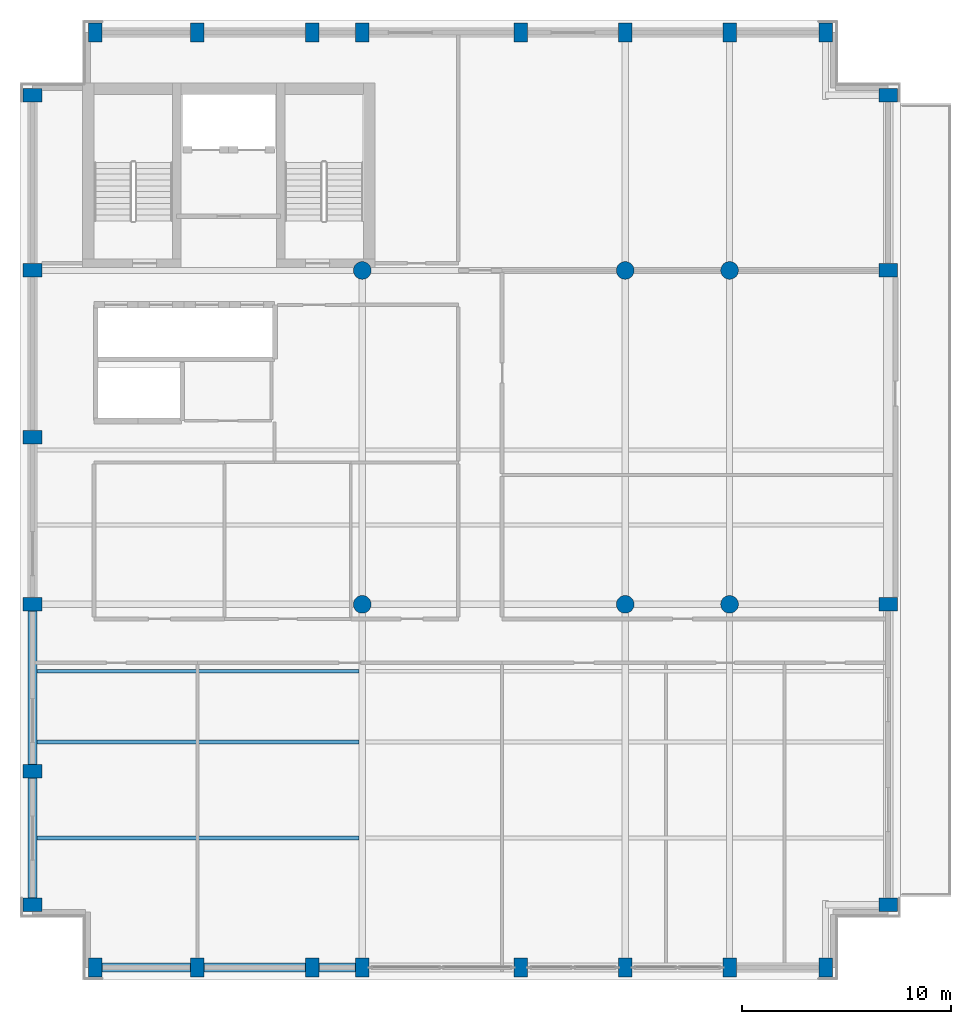
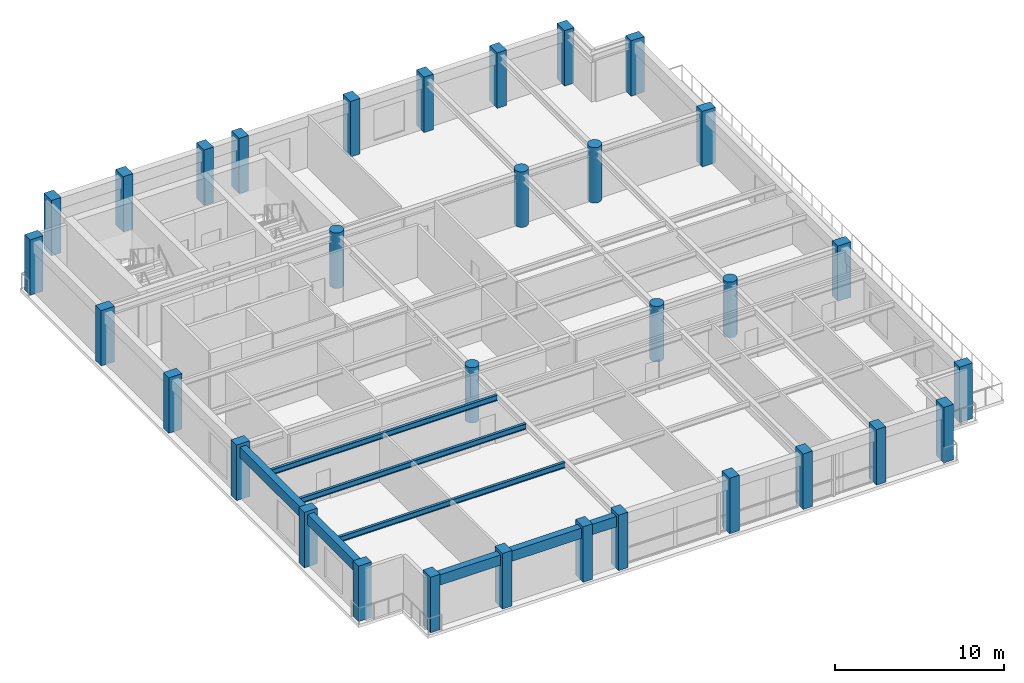
# One storey, part 1 of 9: 32 columns, 8 beams.
"""IFC4 building model written with IfcOpenShell, lengths in metres."""

from ifc_helpers import new_model, si_unit, direction, frame, origin, origin_2d, place, context, subcontext, project, spatial, rectangle, circle, i_section, extrude, material, material_profile, profile_set, type_object, element, save


model = new_model("IFC4")

# Units and contexts
model_context = context("Model", 3, precision=1e-05, world=origin(), true_north=direction((0.0, 1.0)))
body_context = subcontext(model_context, "Body", "Model", "MODEL_VIEW")
ifc_project = project(units=[si_unit("LENGTHUNIT", "METRE"), si_unit("AREAUNIT", "SQUARE_METRE"), si_unit("VOLUMEUNIT", "CUBIC_METRE"), si_unit("PLANEANGLEUNIT", "RADIAN"), si_unit("MASSUNIT", "GRAM", prefix="KILO")], contexts=[model_context])

# Site, building, storey
site_placement = place(None, origin())
site = spatial("IfcSite", under=ifc_project, at=site_placement, CompositionType="ELEMENT")
building_placement = place(site_placement, origin())
building = spatial("IfcBuilding", under=site, at=building_placement, Name="Sulina Concourse Tower", CompositionType="ELEMENT")
storey_placement = place(building_placement, frame((0.0, 0.0, 297.0)))
storey = spatial("IfcBuildingStorey", under=building, at=storey_placement, Name="L72", CompositionType="ELEMENT", Elevation=297.0)

# Columns
ifc_material_1 = material(Name="Precast concrete C50/60", Category="concrete")
ifc_material_profile_1 = material_profile(ifc_material_1, rectangle(XDim=0.64990234375, YDim=0.89990234375, at=origin_2d()), Name="PC 650x900")
ifc_profile_set_1 = profile_set([ifc_material_profile_1], Name="Precast concrete C50/60")
column_type_1 = type_object("IfcColumnType", Name="Precast Stepped Crown Pier 650x900", PredefinedType="COLUMN", material=ifc_profile_set_1)
for number, where, z_axis, x_axis, name in (
    (1, (3.60009765625, 0.60009765625, 0.0), (0.0, 0.0, 1.0), (1.0, 0.0, 0.0), "L72 structural column TP-S-36"),
    (2, (3.60009765625, 45.39990234375, 0.0), (0.0, 0.0, 1.0), (1.0, 0.0, 0.0), "L72 structural column TP-N-36"),
    (3, (8.5, 0.60009765625, 0.0), (0.0, 0.0, 1.0), (1.0, 0.0, 0.0), "L72 structural column TP-S-85"),
    (4, (8.5, 45.39990234375, 0.0), (0.0, 0.0, 1.0), (1.0, 0.0, 0.0), "L72 structural column TP-N-85"),
    (5, (14.0, 0.60009765625, 0.0), (0.0, 0.0, 1.0), (1.0, 0.0, 0.0), "L72 structural column TP-S-140"),
    (6, (14.0, 45.39990234375, 0.0), (0.0, 0.0, 1.0), (1.0, 0.0, 0.0), "L72 structural column TP-N-140"),
    (7, (16.39990234375, 0.60009765625, 0.0), (0.0, 0.0, 1.0), (1.0, 0.0, 0.0), "L72 structural column TP-S-164"),
    (8, (16.39990234375, 45.39990234375, 0.0), (0.0, 0.0, 1.0), (1.0, 0.0, 0.0), "L72 structural column TP-N-164"),
    (9, (24.0, 0.60009765625, 0.0), (0.0, 0.0, 1.0), (1.0, 0.0, 0.0), "L72 structural column TP-S-240"),
    (10, (24.0, 45.39990234375, 0.0), (0.0, 0.0, 1.0), (1.0, 0.0, 0.0), "L72 structural column TP-N-240"),
    (11, (29.0, 0.60009765625, 0.0), (0.0, 0.0, 1.0), (1.0, 0.0, 0.0), "L72 structural column TP-S-290"),
    (12, (29.0, 45.39990234375, 0.0), (0.0, 0.0, 1.0), (1.0, 0.0, 0.0), "L72 structural column TP-N-290"),
    (13, (34.0, 0.60009765625, 0.0), (0.0, 0.0, 1.0), (1.0, 0.0, 0.0), "L72 structural column TP-S-340"),
    (14, (34.0, 45.39990234375, 0.0), (0.0, 0.0, 1.0), (1.0, 0.0, 0.0), "L72 structural column TP-N-340"),
    (15, (38.60009765625, 0.60009765625, 0.0), (0.0, 0.0, 1.0), (1.0, 0.0, 0.0), "L72 structural column TP-SC-386"),
    (16, (38.60009765625, 45.39990234375, 0.0), (0.0, 0.0, 1.0), (1.0, 0.0, 0.0), "L72 structural column TP-NC-386"),
    (17, (0.60009765625, 3.60009765625, 0.0), (0.0, 0.0, 1.0), (0.0, 1.0, 0.0), "L72 structural column TP-W-36"),
    (18, (41.60009765625, 3.60009765625, 0.0), (0.0, 0.0, 1.0), (0.0, 1.0, 0.0), "L72 structural column TP-E-36"),
    (19, (0.60009765625, 10.0, 0.0), (0.0, 0.0, 1.0), (0.0, 1.0, 0.0), "L72 structural column TP-W-100"),
    (20, (0.60009765625, 18.0, 0.0), (0.0, 0.0, 1.0), (0.0, 1.0, 0.0), "L72 structural column TP-W-180"),
    (21, (41.60009765625, 18.0, 0.0), (0.0, 0.0, 1.0), (0.0, 1.0, 0.0), "L72 structural column TP-E-180"),
    (22, (0.60009765625, 26.0, 0.0), (0.0, 0.0, 1.0), (0.0, 1.0, 0.0), "L72 structural column TP-W-260"),
    (23, (0.60009765625, 34.0, 0.0), (0.0, 0.0, 1.0), (0.0, 1.0, 0.0), "L72 structural column TP-W-340"),
    (24, (41.60009765625, 34.0, 0.0), (0.0, 0.0, 1.0), (0.0, 1.0, 0.0), "L72 structural column TP-E-340"),
    (25, (0.60009765625, 42.39990234375, 0.0), (0.0, 0.0, 1.0), (0.0, 1.0, 0.0), "L72 structural column TP-W-424"),
    (26, (41.60009765625, 42.39990234375, 0.0), (0.0, 0.0, 1.0), (0.0, 1.0, 0.0), "L72 structural column TP-E-424"),
):
    element("IfcColumn", number, at=place(storey_placement, frame(where, z_axis=z_axis, x_axis=x_axis)), inside=storey, type_object=column_type_1, Name=name, PredefinedType="COLUMN", context=body_context, shape_type="SweptSolid", body=[
        extrude(rectangle(XDim=0.64990234375, YDim=0.89990234375, at=origin_2d()), origin(), (0.0, 0.0, 1.0), 4.0),
    ])
ifc_material_2 = material(Name="Concrete C50/60", Category="concrete")
ifc_material_profile_2 = material_profile(ifc_material_2, circle(Radius=0.425048828125, at=origin_2d()), Name="RC D850")
ifc_profile_set_2 = profile_set([ifc_material_profile_2], Name="Concrete C50/60")
column_type_2 = type_object("IfcColumnType", Name="Upper Interior Circular Column D850", PredefinedType="COLUMN", material=ifc_profile_set_2)
for number, where, z_axis, x_axis, name in (
    (27, (16.39990234375, 18.0, 0.0), (0.0, 0.0, 1.0), (1.0, 0.0, 0.0), "L72 structural column IC-M-164"),
    (28, (16.39990234375, 34.0, 0.0), (0.0, 0.0, 1.0), (1.0, 0.0, 0.0), "L72 structural column IC-N-164"),
    (29, (29.0, 18.0, 0.0), (0.0, 0.0, 1.0), (1.0, 0.0, 0.0), "L72 structural column IC-M-290"),
    (30, (29.0, 34.0, 0.0), (0.0, 0.0, 1.0), (1.0, 0.0, 0.0), "L72 structural column IC-N-290"),
    (31, (34.0, 18.0, 0.0), (0.0, 0.0, 1.0), (1.0, 0.0, 0.0), "L72 structural column IC-M-340"),
    (32, (34.0, 34.0, 0.0), (0.0, 0.0, 1.0), (1.0, 0.0, 0.0), "L72 structural column IC-N-340"),
):
    element("IfcColumn", number, at=place(storey_placement, frame(where, z_axis=z_axis, x_axis=x_axis)), inside=storey, type_object=column_type_2, Name=name, PredefinedType="COLUMN", context=body_context, shape_type="SweptSolid", body=[
        extrude(circle(Radius=0.425048828125, at=origin_2d()), origin(), (0.0, 0.0, 1.0), 4.0),
    ])

# Beams
ifc_material_3 = material(Name="Steel S355", Category="steel")
ifc_material_profile_3 = material_profile(ifc_material_3, i_section(OverallWidth=0.179931640625, OverallDepth=0.39990234375, WebThickness=0.008544921875, FlangeThickness=0.013427734375, at=origin_2d()), Name="IPE 400")
ifc_profile_set_3 = profile_set([ifc_material_profile_3], Name="Steel S355")
beam_type_1 = type_object("IfcBeamType", Name="Crown & Terrace Joist IPE400", PredefinedType="JOIST", material=ifc_profile_set_3)
for number, where, z_axis, x_axis, name in (
    (33, (0.824951171875, 6.800048828125, 3.574951171875), (1.0, 0.0, 0.0), (0.0, 1.0, 0.0), "FJ-J06-1-L72"),
    (34, (0.824951171875, 11.39990234375, 3.574951171875), (1.0, 0.0, 0.0), (0.0, 1.0, 0.0), "FJ-J11-1-L72"),
    (35, (0.824951171875, 14.800048828125, 3.574951171875), (1.0, 0.0, 0.0), (0.0, 1.0, 0.0), "FJ-J15-1-L72"),
):
    element("IfcBeam", number, at=place(storey_placement, frame(where, z_axis=z_axis, x_axis=x_axis)), inside=storey, type_object=beam_type_1, Name=name, PredefinedType="JOIST", context=body_context, shape_type="SweptSolid", body=[
        extrude(i_section(OverallWidth=0.179931640625, OverallDepth=0.39990234375, WebThickness=0.008544921875, FlangeThickness=0.013427734375, at=origin_2d()), origin(), (0.0, 0.0, 1.0), 15.425048828125),
    ])
ifc_material_4 = material(Name="Precast concrete C50/60", Category="concrete")
ifc_material_profile_4 = material_profile(ifc_material_4, rectangle(XDim=0.449951171875, YDim=0.75, at=origin_2d()), Name="RC 450x750")
ifc_profile_set_4 = profile_set([ifc_material_profile_4], Name="Precast concrete C50/60")
beam_type_2 = type_object("IfcBeamType", Name="Upper Precast Spandrel Edge Beam 450x750", PredefinedType="BEAM", material=ifc_profile_set_4)
beam_1_placement = place(storey_placement, frame((3.905029296875, 0.60009765625, 3.39990234375), z_axis=(1.0, 0.0, 0.0), x_axis=(0.0, 1.0, 0.0)))
element("IfcBeam", 36, at=beam_1_placement, inside=storey, type_object=beam_type_2, Name="SP-S1-L72", PredefinedType="BEAM", context=body_context, shape_type="SweptSolid", body=[
    extrude(rectangle(XDim=0.449951171875, YDim=0.75, at=origin_2d()), origin(), (0.0, 0.0, 1.0), 4.2900390625),
])
beam_2_placement = place(storey_placement, frame((8.804931640625, 0.60009765625, 3.39990234375), z_axis=(1.0, 0.0, 0.0), x_axis=(0.0, 1.0, 0.0)))
element("IfcBeam", 37, at=beam_2_placement, inside=storey, type_object=beam_type_2, Name="SP-S2-L72", PredefinedType="BEAM", context=body_context, shape_type="SweptSolid", body=[
    extrude(rectangle(XDim=0.449951171875, YDim=0.75, at=origin_2d()), origin(), (0.0, 0.0, 1.0), 4.89013671875),
])
beam_3_placement = place(storey_placement, frame((14.304931640625, 0.60009765625, 3.39990234375), z_axis=(1.0, 0.0, 0.0), x_axis=(0.0, 1.0, 0.0)))
element("IfcBeam", 38, at=beam_3_placement, inside=storey, type_object=beam_type_2, Name="SP-S3-L72", PredefinedType="BEAM", context=body_context, shape_type="SweptSolid", body=[
    extrude(rectangle(XDim=0.449951171875, YDim=0.75, at=origin_2d()), origin(), (0.0, 0.0, 1.0), 1.7900390625),
])
beam_4_placement = place(storey_placement, frame((0.60009765625, 3.905029296875, 3.39990234375), z_axis=(0.0, 1.0, 0.0), x_axis=(-1.0, 0.0, 0.0)))
element("IfcBeam", 39, at=beam_4_placement, inside=storey, type_object=beam_type_2, Name="SP-W1-L72", PredefinedType="BEAM", context=body_context, shape_type="SweptSolid", body=[
    extrude(rectangle(XDim=0.449951171875, YDim=0.75, at=origin_2d()), origin(), (0.0, 0.0, 1.0), 5.7900390625),
])
beam_5_placement = place(storey_placement, frame((0.60009765625, 10.304931640625, 3.39990234375), z_axis=(0.0, 1.0, 0.0), x_axis=(-1.0, 0.0, 0.0)))
element("IfcBeam", 40, at=beam_5_placement, inside=storey, type_object=beam_type_2, Name="SP-W2-L72", PredefinedType="BEAM", context=body_context, shape_type="SweptSolid", body=[
    extrude(rectangle(XDim=0.449951171875, YDim=0.75, at=origin_2d()), origin(), (0.0, 0.0, 1.0), 7.39013671875),
])

save(model, "model.ifc")
